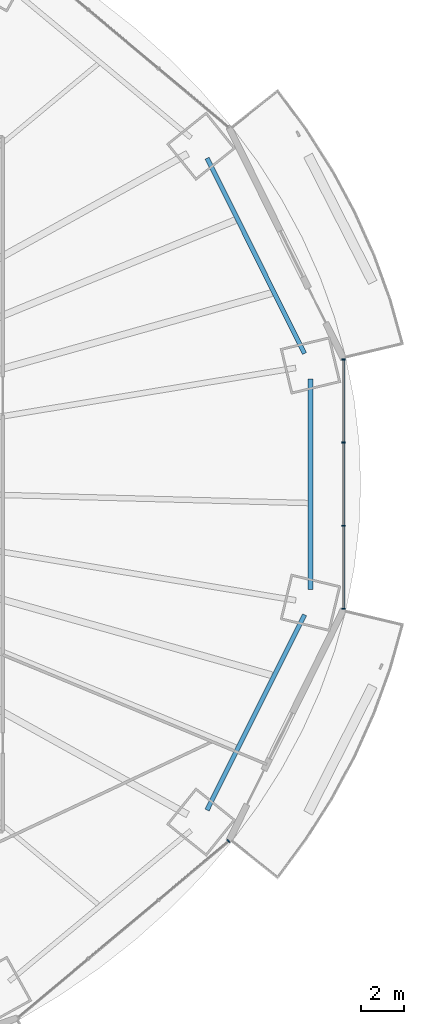
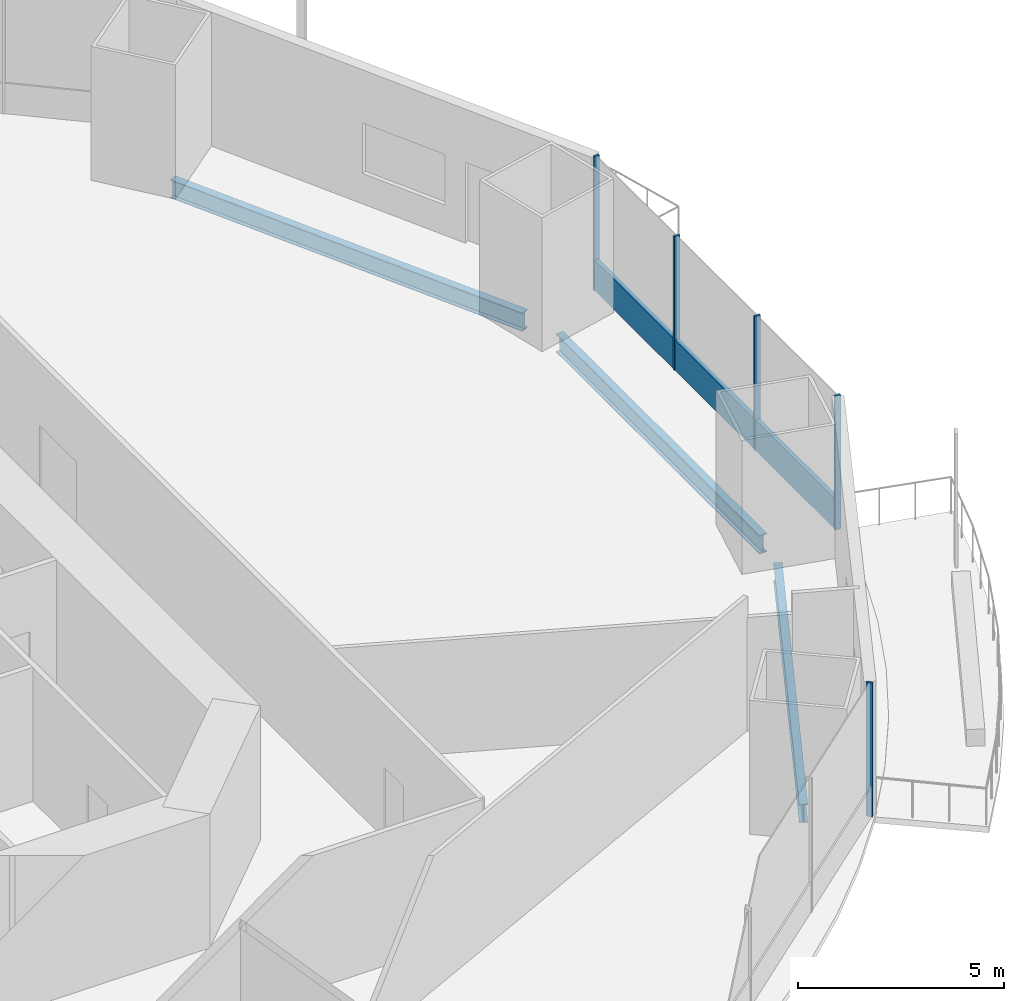
# One storey, part 11 of 23: 6 members, 3 beams, 2 elements without a shape of their own.
"""IFC4 building model written with IfcOpenShell, lengths in metres."""

from ifc_helpers import new_model, si_unit, direction, frame, origin, origin_2d, place, context, subcontext, project, spatial, rectangle, i_section, extrude, material, material_profile, profile_set, type_object, element, aggregate, save


model = new_model("IFC4")

# Units and contexts
model_context = context("Model", 3, precision=1e-05, world=origin(), true_north=direction((0.0, 1.0)))
body_context = subcontext(model_context, "Body", "Model", "MODEL_VIEW")
ifc_project = project(units=[si_unit("LENGTHUNIT", "METRE"), si_unit("AREAUNIT", "SQUARE_METRE"), si_unit("VOLUMEUNIT", "CUBIC_METRE"), si_unit("PLANEANGLEUNIT", "RADIAN"), si_unit("MASSUNIT", "GRAM", prefix="KILO")], contexts=[model_context])

# Site, building, storey
site_placement = place(None, origin())
site = spatial("IfcSite", under=ifc_project, at=site_placement, CompositionType="ELEMENT")
building_placement = place(site_placement, origin())
building = spatial("IfcBuilding", under=site, at=building_placement, Name="Marenthal Gate Tower", CompositionType="ELEMENT")
storey_placement = place(building_placement, frame((0.0, 0.0, 62.050048828125)))
storey = spatial("IfcBuildingStorey", under=building, at=storey_placement, Name="L11", CompositionType="ELEMENT", Elevation=62.050048828125)

# Curtain wall, member
ifc_material_1 = material(Name="Aluminium and glass", Category="aluminium")
curtain_wall_type = type_object("IfcCurtainWallType", Name="Curtain wall typical low", PredefinedType="NOTDEFINED", material=ifc_material_1)
curtain_wall_1_placement = place(storey_placement, origin())
curtain_wall_1 = element("IfcCurtainWall", 1, at=curtain_wall_1_placement, inside=storey, type_object=curtain_wall_type, Name="Curtain wall L11 bay 14", PredefinedType="NOTDEFINED")
ifc_material_2 = material(Name="Aluminium", Category="aluminium")
ifc_material_profile_1 = material_profile(ifc_material_2, rectangle(XDim=0.159912109375, YDim=0.06005859375, at=origin_2d()), Name="60x160 aluminium mullion")
ifc_profile_set_1 = profile_set([ifc_material_profile_1], Name="Aluminium")
member_type_1 = type_object("IfcMemberType", Name="Mullion 60x160 typical low", PredefinedType="MULLION", material=ifc_profile_set_1)
member_1_placement = place(storey_placement, frame((29.90576171875, -16.76904296875, 0.0), z_axis=(0.0, 0.0, 1.0), x_axis=(-0.642111737517, 0.766611059497, 0.0)))
member_1 = element("IfcMember", 2, at=member_1_placement, type_object=member_type_1, Name="Mullion L11 bay 14.4", PredefinedType="MULLION", context=body_context, shape_type="SweptSolid", body=[
    extrude(rectangle(XDim=0.159912109375, YDim=0.06005859375, at=origin_2d()), origin(), (0.0, 0.0, 1.0), 3.969970703125),
])
aggregate(curtain_wall_1, [member_1])

# Curtain wall, members
curtain_wall_2_placement = place(storey_placement, origin())
curtain_wall_2 = element("IfcCurtainWall", 3, at=curtain_wall_2_placement, inside=storey, type_object=curtain_wall_type, Name="Curtain wall L11 bay 16", PredefinedType="NOTDEFINED")
member_2_placement = place(storey_placement, frame((35.303466796875, -5.851806640625, 0.0), z_axis=(0.0, 0.0, 1.0), x_axis=(-1.0, 0.0, 0.0)))
member_2 = element("IfcMember", 4, at=member_2_placement, type_object=member_type_1, Name="Mullion L11 bay 16.1", PredefinedType="MULLION", context=body_context, shape_type="SweptSolid", body=[
    extrude(rectangle(XDim=0.159912109375, YDim=0.06005859375, at=origin_2d()), origin(), (0.0, 0.0, 1.0), 3.969970703125),
])
member_3_placement = place(storey_placement, frame((35.303466796875, -1.95068359375, 0.0), z_axis=(0.0, 0.0, 1.0), x_axis=(-1.0, 0.0, 0.0)))
member_3 = element("IfcMember", 5, at=member_3_placement, type_object=member_type_1, Name="Mullion L11 bay 16.2", PredefinedType="MULLION", context=body_context, shape_type="SweptSolid", body=[
    extrude(rectangle(XDim=0.159912109375, YDim=0.06005859375, at=origin_2d()), origin(), (0.0, 0.0, 1.0), 3.969970703125),
])
member_4_placement = place(storey_placement, frame((35.303466796875, 1.95068359375, 0.0), z_axis=(0.0, 0.0, 1.0), x_axis=(-1.0, 0.0, 0.0)))
member_4 = element("IfcMember", 6, at=member_4_placement, type_object=member_type_1, Name="Mullion L11 bay 16.3", PredefinedType="MULLION", context=body_context, shape_type="SweptSolid", body=[
    extrude(rectangle(XDim=0.159912109375, YDim=0.06005859375, at=origin_2d()), origin(), (0.0, 0.0, 1.0), 3.969970703125),
])
member_5_placement = place(storey_placement, frame((35.303466796875, 5.851806640625, 0.0), z_axis=(0.0, 0.0, 1.0), x_axis=(-1.0, 0.0, 0.0)))
member_5 = element("IfcMember", 7, at=member_5_placement, type_object=member_type_1, Name="Mullion L11 bay 16.4", PredefinedType="MULLION", context=body_context, shape_type="SweptSolid", body=[
    extrude(rectangle(XDim=0.159912109375, YDim=0.06005859375, at=origin_2d()), origin(), (0.0, 0.0, 1.0), 3.969970703125),
])
ifc_material_3 = material(Name="Aluminium", Category="aluminium")
ifc_material_profile_2 = material_profile(ifc_material_3, rectangle(XDim=0.1201171875, YDim=0.89990234375, at=origin_2d()), Name="120x900 aluminium transom")
ifc_profile_set_2 = profile_set([ifc_material_profile_2], Name="Aluminium")
member_type_2 = type_object("IfcMemberType", Name="Transom 120x900 typical low", PredefinedType="USERDEFINED", material=ifc_profile_set_2)
member_6_placement = place(storey_placement, frame((35.303466796875, -5.82177734375, 0.449951171875), z_axis=(0.0, 1.0, 0.0), x_axis=(-1.0, 0.0, 0.0)))
member_6 = element("IfcMember", 8, at=member_6_placement, type_object=member_type_2, Name="Transom L11 bay 16", ObjectType="TRANSOM", PredefinedType="USERDEFINED", context=body_context, shape_type="SweptSolid", body=[
    extrude(rectangle(XDim=0.1201171875, YDim=0.89990234375, at=origin_2d()), origin(), (0.0, 0.0, 1.0), 11.6435546875),
])
aggregate(curtain_wall_2, [member_2, member_3, member_4, member_5, member_6])

# Beams
ifc_material_4 = material(Name="Steel S355", Category="steel")
ifc_material_profile_3 = material_profile(ifc_material_4, i_section(OverallWidth=0.2119140625, OverallDepth=0.5439453125, WebThickness=0.01318359375, FlangeThickness=0.021240234375, FilletRadius=0.0126953125, at=origin_2d()), Name="W530X123")
ifc_profile_set_3 = profile_set([ifc_material_profile_3], Name="Steel S355")
beam_type = type_object("IfcBeamType", Name="W530X123 beam", PredefinedType="BEAM", material=ifc_profile_set_3)
for number, where, z_axis, x_axis, name in (
    (9, (33.472900390625, 6.136474609375, -0.4521484375), (-0.446499206551, 0.894784028998, 0.0), (-0.894784028998, -0.446499206551, 0.0), "BM-L11-41"),
    (10, (28.894287109375, -15.31201171875, -0.4521484375), (0.446499206551, 0.894784028998, 0.0), (-0.894784028998, 0.446499206551, 0.0), "BM-L11-55"),
):
    element("IfcBeam", number, at=place(storey_placement, frame(where, z_axis=z_axis, x_axis=x_axis)), inside=storey, type_object=beam_type, Name=name, PredefinedType="BEAM", context=body_context, shape_type="SweptSolid", body=[
        extrude(i_section(OverallWidth=0.2119140625, OverallDepth=0.5439453125, WebThickness=0.01318359375, FlangeThickness=0.021240234375, FilletRadius=0.0126953125, at=origin_2d()), origin(), (0.0, 0.0, 1.0), 10.25439453125),
    ])
beam_placement = place(storey_placement, frame((33.753662109375, -4.9423828125, -0.4521484375), z_axis=(0.0, 1.0, 0.0), x_axis=(-1.0, 0.0, 0.0)))
element("IfcBeam", 11, at=beam_placement, inside=storey, type_object=beam_type, Name="BM-L11-56", PredefinedType="BEAM", context=body_context, shape_type="SweptSolid", body=[
    extrude(i_section(OverallWidth=0.2119140625, OverallDepth=0.5439453125, WebThickness=0.01318359375, FlangeThickness=0.021240234375, FilletRadius=0.0126953125, at=origin_2d()), origin(), (0.0, 0.0, 1.0), 9.884765625),
])

save(model, "model.ifc")
